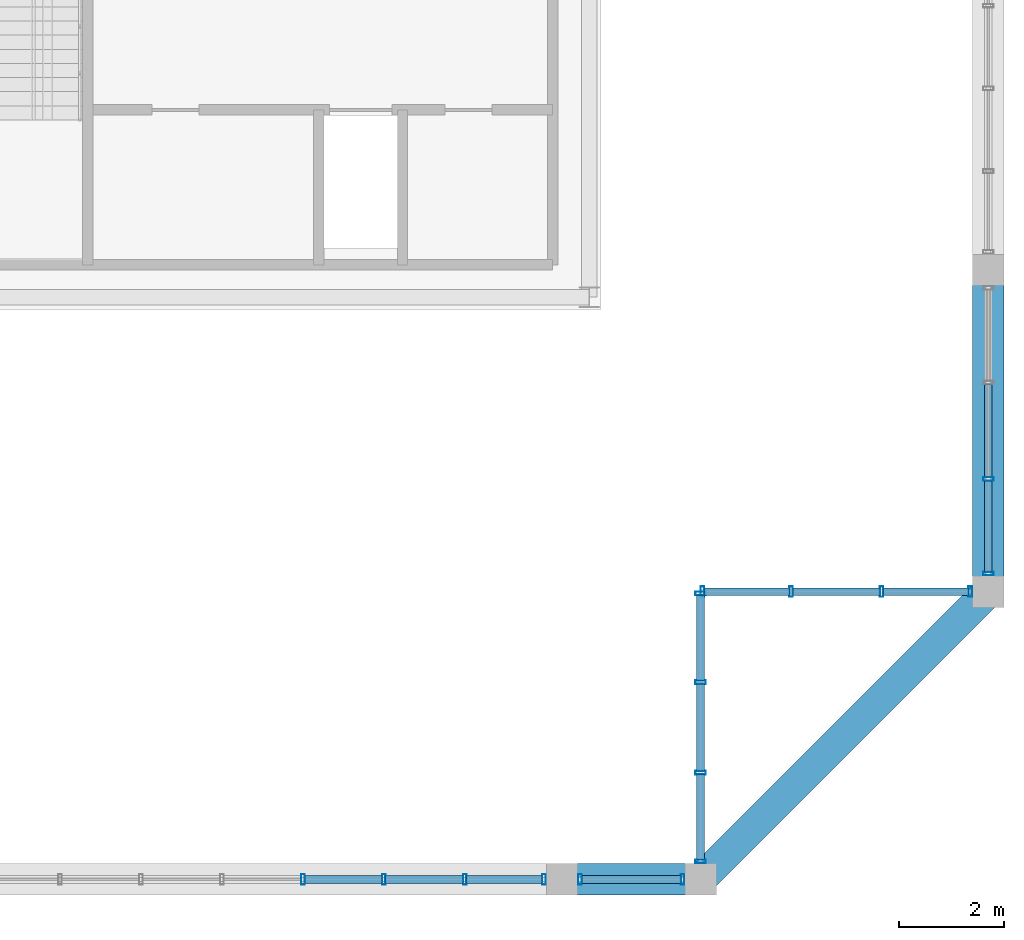
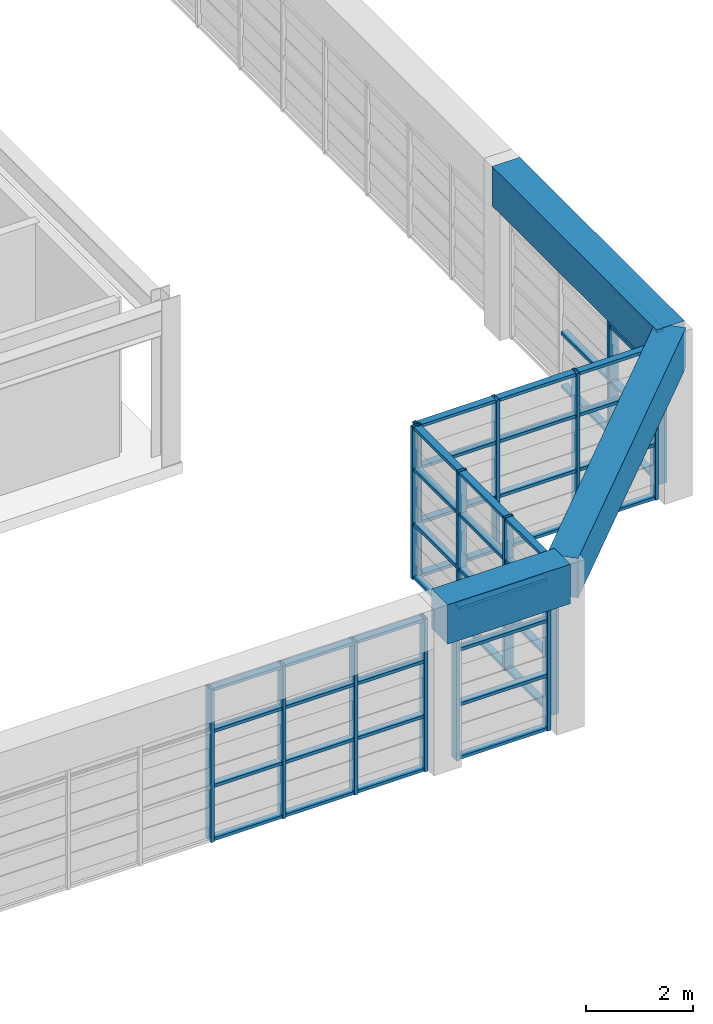
# One storey, part 6 of 27: 62 members, 3 beams, 5 elements without a shape of their own.
"""IFC4 building model written with IfcOpenShell, lengths in metres."""

import ifcopenshell
import ifcopenshell.guid

model = None  # the IFC model being written
_history = None  # IfcOwnerHistory: only IFC2X3 demands one
_inside = {}  # id of a spatial element -> (the spatial element, [elements in it])
_under = {}  # id of a project, library or spatial element -> (it, [spatial elements below it])
_declared = {}  # id of a project -> (the project, [libraries it declares])
_typed = {}  # id of a type object -> (the type object, [elements of that type])
_made_of = {}  # id of a material, layer set ... -> (it, [elements and type objects made of it])


def new_model(schema):
    """Start an empty IFC model of exactly this schema.

    Asked for "IFC4X3", IfcOpenShell would pick the latest addendum, in which some entities
    have other attributes; the version numbers below select the first issue.
    IFC2X3 requires an IfcOwnerHistory on every rooted entity: one is made here for all.
    """
    global model, _history
    if schema == "IFC4X3":
        model = ifcopenshell.file(schema_version=(4, 3, 0, 0))
    else:
        model = ifcopenshell.file(schema=schema)
    _inside.clear()
    _under.clear()
    _declared.clear()
    _typed.clear()
    _made_of.clear()
    _history = None
    if model.schema == "IFC2X3":
        org = make("IfcOrganization", Name="unknown")
        user = make(
            "IfcPersonAndOrganization",
            ThePerson=make("IfcPerson", FamilyName="unknown"),
            TheOrganization=org,
        )
        app = make(
            "IfcApplication",
            ApplicationDeveloper=org,
            Version="unknown",
            ApplicationFullName="unknown",
            ApplicationIdentifier="unknown",
        )
        _history = make(
            "IfcOwnerHistory",
            OwningUser=user,
            OwningApplication=app,
            ChangeAction="ADDED",
            CreationDate=0,
        )
    return model


def make(cls, **values):
    """One entity of the class cls with the attributes given. An attribute that is None is left unset."""
    return model.create_entity(
        cls, **{name: value for name, value in values.items() if value is not None}
    )


def rooted(cls, **values):
    """An entity with a GlobalId (a new one), such as an element, a storey or a relation."""
    return make(cls, GlobalId=ifcopenshell.guid.new(), OwnerHistory=_history, **values)


def si_unit(unit_type, name, prefix=None):
    """IfcSIUnit, for example si_unit("LENGTHUNIT", "METRE", prefix="MILLI")."""
    return make("IfcSIUnit", UnitType=unit_type, Prefix=prefix, Name=name)


def assignment(units):
    """IfcUnitAssignment: the units of a project."""
    return None if units is None else make("IfcUnitAssignment", Units=units)


def point(xyz):
    """IfcCartesianPoint."""
    return None if xyz is None else make("IfcCartesianPoint", Coordinates=xyz)


def direction(xyz):
    """IfcDirection."""
    return None if xyz is None else make("IfcDirection", DirectionRatios=xyz)


def frame(location, z_axis=None, x_axis=None):
    """IfcAxis2Placement3D, a coordinate frame: its origin and axes. An axis left out is left unset."""
    return make(
        "IfcAxis2Placement3D",
        Location=point(location),
        Axis=direction(z_axis),
        RefDirection=direction(x_axis),
    )


def frame_2d(location, x_axis=None):
    """IfcAxis2Placement2D, a coordinate frame in the plane: its origin and x axis."""
    return make(
        "IfcAxis2Placement2D", Location=point(location), RefDirection=direction(x_axis)
    )


def origin():
    """The frame at (0, 0, 0) with its axes left unset."""
    return frame((0.0, 0.0, 0.0))


def origin_2d():
    """The frame at (0, 0) in the plane with its x axis left unset."""
    return frame_2d((0.0, 0.0))


def place(relative_to, where):
    """IfcLocalPlacement: puts the frame where relative to a parent placement (None: the world)."""
    return make(
        "IfcLocalPlacement", PlacementRelTo=relative_to, RelativePlacement=where
    )


def context(
    kind, dimensions, precision=None, world=None, true_north=None, identifier=None
):
    """IfcGeometricRepresentationContext, for example the 3D "Model" context."""
    return make(
        "IfcGeometricRepresentationContext",
        ContextIdentifier=identifier,
        ContextType=kind,
        CoordinateSpaceDimension=dimensions,
        Precision=precision,
        WorldCoordinateSystem=world,
        TrueNorth=true_north,
    )


def subcontext(parent, identifier, kind, view, scale=None):
    """IfcGeometricRepresentationSubContext, for example "Body" below "Model"."""
    return make(
        "IfcGeometricRepresentationSubContext",
        ContextIdentifier=identifier,
        ContextType=kind,
        ParentContext=parent,
        TargetScale=scale,
        TargetView=view,
    )


def project(units=None, contexts=None):
    """IfcProject with its units and contexts."""
    return rooted(
        "IfcProject",
        Name="project",
        RepresentationContexts=contexts,
        UnitsInContext=assignment(units),
    )


def spatial(cls, under=None, at=None, **own):
    """A site, building, storey or space (cls), placed at a placement, below another one or the project."""
    s = rooted(cls, ObjectPlacement=at, **own)
    if under is not None:
        _under.setdefault(under.id(), (under, []))[1].append(s)
    return s


def profile(cls, at=None, kind="AREA", **sizes):
    """A parametric profile (cls). Its sizes go by their IFC names, for example OverallWidth=200.0."""
    return make(cls, ProfileType=kind, Position=at, **sizes)


def rectangle(**sizes):
    """IfcRectangleProfileDef."""
    return profile("IfcRectangleProfileDef", **sizes)


def hollow_rectangle(**sizes):
    """IfcRectangleHollowProfileDef."""
    return profile("IfcRectangleHollowProfileDef", **sizes)


def extrude(swept, where, along, depth):
    """IfcExtrudedAreaSolid: the profile swept, set in the frame where, extruded along a direction by depth."""
    return make(
        "IfcExtrudedAreaSolid",
        SweptArea=swept,
        Position=where,
        ExtrudedDirection=direction(along),
        Depth=depth,
    )


def shape(context_of_items, identifier, shape_type, items):
    """IfcShapeRepresentation: the items that make up one representation, for example the "Body"."""
    return make(
        "IfcShapeRepresentation",
        ContextOfItems=context_of_items,
        RepresentationIdentifier=identifier,
        RepresentationType=shape_type,
        Items=items,
    )


def source(mapping_origin, context_of_items, identifier, shape_type, items):
    """IfcRepresentationMap: a shape defined once, which mapped items show again and again."""
    return make(
        "IfcRepresentationMap",
        MappingOrigin=mapping_origin,
        MappedRepresentation=shape(context_of_items, identifier, shape_type, items),
    )


def transform(
    local_origin,
    x_axis=None,
    y_axis=None,
    z_axis=None,
    scale=None,
    scale2=None,
    scale3=None,
    uniform=True,
):
    """IfcCartesianTransformationOperator3D, or its non-uniform kind. x_axis, y_axis, z_axis: its Axis1, 2, 3."""
    if uniform:
        return make(
            "IfcCartesianTransformationOperator3D",
            Axis1=direction(x_axis),
            Axis2=direction(y_axis),
            LocalOrigin=point(local_origin),
            Scale=scale,
            Axis3=direction(z_axis),
        )
    return make(
        "IfcCartesianTransformationOperator3DnonUniform",
        Axis1=direction(x_axis),
        Axis2=direction(y_axis),
        LocalOrigin=point(local_origin),
        Scale=scale,
        Axis3=direction(z_axis),
        Scale2=scale2,
        Scale3=scale3,
    )


def mapped(mapping_source, mapping_target):
    """IfcMappedItem: shows the shape of a source again, moved by a transform."""
    return make(
        "IfcMappedItem", MappingSource=mapping_source, MappingTarget=mapping_target
    )


def material(Name=None, Category=None):
    """IfcMaterial."""
    return make("IfcMaterial", Name=Name, Category=Category)


def layer(
    of_material, thickness, ventilated=None, Name=None, Category=None, Priority=None
):
    """IfcMaterialLayer: one layer of a wall or slab, of a material (None: an air gap)."""
    return make(
        "IfcMaterialLayer",
        Material=of_material,
        LayerThickness=thickness,
        IsVentilated=ventilated,
        Name=Name,
        Category=Category,
        Priority=Priority,
    )


def layer_set(layers, Name=None):
    """IfcMaterialLayerSet."""
    return make("IfcMaterialLayerSet", MaterialLayers=layers, LayerSetName=Name)


def material_profile(
    of_material, cross_section, Name=None, Category=None, Priority=None
):
    """IfcMaterialProfile: a cross section and its material."""
    return make(
        "IfcMaterialProfile",
        Name=Name,
        Material=of_material,
        Profile=cross_section,
        Priority=Priority,
        Category=Category,
    )


def profile_set(profiles, Name=None, composite=None):
    """IfcMaterialProfileSet."""
    return make(
        "IfcMaterialProfileSet",
        Name=Name,
        MaterialProfiles=profiles,
        CompositeProfile=composite,
    )


def made_of(thing, what):
    """Note that an element or type object is made of a material, layer set ...; save() writes the relation."""
    if what is not None:
        _made_of.setdefault(what.id(), (what, []))[1].append(thing)
    return thing


def type_object(cls, material=None, **own):
    """A type object (cls), such as IfcWallType, which elements share."""
    return made_of(rooted(cls, **own), material)


def element(
    cls,
    number,
    at=None,
    inside=None,
    cuts=None,
    type_object=None,
    material=None,
    context=None,
    identifier="Body",
    shape_type=None,
    held_by="IfcProductDefinitionShape",
    body=None,
    shapes=None,
    **own,
):
    """One element of the class cls, such as IfcWall. Its Tag is "e" and its number.

    at: its placement. inside: the storey or other place that contains it. cuts: it is an
    opening in that element (IfcRelVoidsElement). A single representation is given by context,
    identifier, shape_type and body (its items); several are given by shapes. held_by: the class
    of the entity that holds the representations. save() writes the other relations.
    """
    e = rooted(cls, Tag="e%d" % number, ObjectPlacement=at, **own)
    if body is not None:
        shapes = [shape(context, identifier, shape_type, body)]
    if shapes is not None:
        e.Representation = make(held_by, Representations=shapes)
    if inside is not None:
        _inside.setdefault(inside.id(), (inside, []))[1].append(e)
    if cuts is not None:
        rooted(
            "IfcRelVoidsElement", RelatingBuildingElement=cuts, RelatedOpeningElement=e
        )
    if type_object is not None:
        _typed.setdefault(type_object.id(), (type_object, []))[1].append(e)
    return made_of(e, material)


def aggregate(whole, parts):
    """IfcRelAggregates: a whole, such as a stair, and the parts it consists of."""
    return rooted("IfcRelAggregates", RelatingObject=whole, RelatedObjects=parts)


def save(model, path):
    """Write the relations noted so far, then the file.

    IfcRelAggregates (storeys below a building ...), IfcRelContainedInSpatialStructure (elements
    in a storey), IfcRelDefinesByType, IfcRelAssociatesMaterial and IfcRelDeclares: one each for
    every whole, place, type object, material and project.
    """
    for whole, parts in _under.values():
        aggregate(whole, parts)
    for where, things in _inside.values():
        rooted(
            "IfcRelContainedInSpatialStructure",
            RelatedElements=things,
            RelatingStructure=where,
        )
    for kind, things in _typed.values():
        rooted("IfcRelDefinesByType", RelatedObjects=things, RelatingType=kind)
    for what, things in _made_of.values():
        rooted("IfcRelAssociatesMaterial", RelatedObjects=things, RelatingMaterial=what)
    for by, libraries in _declared.values():
        rooted("IfcRelDeclares", RelatingContext=by, RelatedDefinitions=libraries)
    model.write(path)


model = new_model("IFC4")

# Units and contexts
model_context = context("Model", 3, precision=1e-05, world=origin(), true_north=direction((0.0, 1.0)))
body_context = subcontext(model_context, "Body", "Model", "MODEL_VIEW")
ifc_project = project(units=[si_unit("LENGTHUNIT", "METRE"), si_unit("AREAUNIT", "SQUARE_METRE"), si_unit("VOLUMEUNIT", "CUBIC_METRE"), si_unit("PLANEANGLEUNIT", "RADIAN"), si_unit("MASSUNIT", "GRAM", prefix="KILO")], contexts=[model_context])

# Site, building, storey
site_placement = place(None, origin())
site = spatial("IfcSite", under=ifc_project, at=site_placement, CompositionType="ELEMENT")
building_placement = place(site_placement, origin())
building = spatial("IfcBuilding", under=site, at=building_placement, Name="Saelheon Loggia Tower", CompositionType="ELEMENT")
storey_placement = place(building_placement, frame((0.0, 0.0, 263.60009765625)))
storey = spatial("IfcBuildingStorey", under=building, at=storey_placement, Name="CR4", CompositionType="ELEMENT", Elevation=263.60009765625)

# Beams
ifc_material_1 = material(Name="Precast Concrete C45/55", Category="concrete")
ifc_material_profile_1 = material_profile(ifc_material_1, rectangle(XDim=0.60009765625, YDim=0.89990234375, at=origin_2d()), Name="RC-600x900")
ifc_profile_set_1 = profile_set([ifc_material_profile_1], Name="Precast Concrete C45/55")
beam_type = type_object("IfcBeamType", Name="CrownFrame_Ring_RC600x900", PredefinedType="BEAM", material=ifc_profile_set_1)
shared_shape_1 = source(origin(), body_context, "Body", "SweptSolid", [
    extrude(rectangle(XDim=0.60009765625, YDim=0.89990234375, at=origin_2d()), origin(), (0.0, 0.0, 1.0), 2.64990234375),
])
beam_1_placement = place(storey_placement, frame((44.5, 6.35009765625, 3.349853515625), z_axis=(1.0, 0.0, 0.0), x_axis=(0.0, 1.0, 0.0)))
element("IfcBeam", 1, at=beam_1_placement, inside=storey, type_object=beam_type, Name="CR4 CROWN FRAME Ring Beam 03", PredefinedType="BEAM", context=body_context, shape_type="MappedRepresentation", body=[
    mapped(shared_shape_1, transform((0.0, 0.0, 0.0), scale=1.0)),
])
shared_shape_2 = source(origin(), body_context, "Body", "SweptSolid", [
    extrude(rectangle(XDim=0.60009765625, YDim=0.89990234375, at=origin_2d()), origin(), (0.0, 0.0, 1.0), 7.778076171875),
])
beam_2_placement = place(storey_placement, frame((47.14990234375, 6.35009765625, 3.349853515625), z_axis=(0.707106781187, 0.707106781187, 0.0), x_axis=(-0.707106781187, 0.707106781187, 0.0)))
element("IfcBeam", 2, at=beam_2_placement, inside=storey, type_object=beam_type, Name="CR4 CROWN FRAME Ring Beam 04", PredefinedType="BEAM", context=body_context, shape_type="MappedRepresentation", body=[
    mapped(shared_shape_2, transform((0.0, 0.0, 0.0), scale=1.0)),
])
shared_shape_3 = source(origin(), body_context, "Body", "SweptSolid", [
    extrude(rectangle(XDim=0.60009765625, YDim=0.89990234375, at=origin_2d()), origin(), (0.0, 0.0, 1.0), 6.14990234375),
])
beam_3_placement = place(storey_placement, frame((52.64990234375, 11.85009765625, 3.349853515625), z_axis=(0.0, 1.0, 0.0), x_axis=(-1.0, 0.0, 0.0)))
element("IfcBeam", 3, at=beam_3_placement, inside=storey, type_object=beam_type, Name="CR4 CROWN FRAME Ring Beam 05", PredefinedType="BEAM", context=body_context, shape_type="MappedRepresentation", body=[
    mapped(shared_shape_3, transform((0.0, 0.0, 0.0), scale=1.0)),
])

# Curtain wall, members
ifc_material_2 = material(Name="Bronze-Anodised Aluminium and Fritted Ceramic Screen", Category="aluminium")
ifc_layer = layer(ifc_material_2, 0.219970703125)
ifc_layer_set = layer_set([ifc_layer], Name="Bronze-Anodised Aluminium and Fritted Ceramic Screen")
curtain_wall_type = type_object("IfcCurtainWallType", Name="CW_CrownScreen", PredefinedType="NOTDEFINED", material=ifc_layer_set)
curtain_wall_1_placement = place(storey_placement, origin())
curtain_wall_1 = element("IfcCurtainWall", 4, at=curtain_wall_1_placement, inside=storey, type_object=curtain_wall_type, Name="CR4 Crown Screen Curtain Wall 0-2", PredefinedType="NOTDEFINED")
ifc_material_3 = material(Name="Bronze-Anodised Aluminium 6063-T6", Category="aluminium")
ifc_material_profile_2 = material_profile(ifc_material_3, hollow_rectangle(XDim=0.070068359375, YDim=0.199951171875, WallThickness=0.0048828125, at=origin_2d()), Name="RHS-200x70x5")
ifc_profile_set_2 = profile_set([ifc_material_profile_2], Name="Bronze-Anodised Aluminium 6063-T6")
member_type_1 = type_object("IfcMemberType", Name="CW_CrownScreen_Mullion", PredefinedType="MULLION", material=ifc_profile_set_2)
shared_shape_4 = source(origin(), body_context, "Body", "SweptSolid", [
    extrude(hollow_rectangle(XDim=0.070068359375, YDim=0.199951171875, WallThickness=0.0048828125, at=origin_2d()), origin(), (0.0, 0.0, 1.0), 3.47998046875),
])
member_1_placement = place(storey_placement, frame((39.547607421875, 6.35009765625, 0.0), z_axis=(0.0, 0.0, 1.0), x_axis=(1.0, 0.0, 0.0)))
member_1 = element("IfcMember", 5, at=member_1_placement, type_object=member_type_1, Name="CW6 mullion 6", PredefinedType="MULLION", context=body_context, shape_type="MappedRepresentation", body=[
    mapped(shared_shape_4, transform((0.0, 0.0, 0.0), scale=1.0)),
])
member_2_placement = place(storey_placement, frame((41.094970703125, 6.35009765625, 0.0), z_axis=(0.0, 0.0, 1.0), x_axis=(1.0, 0.0, 0.0)))
member_2 = element("IfcMember", 6, at=member_2_placement, type_object=member_type_1, Name="CW6 mullion 7", PredefinedType="MULLION", context=body_context, shape_type="MappedRepresentation", body=[
    mapped(shared_shape_4, transform((0.0, 0.0, 0.0), scale=1.0)),
])
member_3_placement = place(storey_placement, frame((42.642578125, 6.35009765625, 0.0), z_axis=(0.0, 0.0, 1.0), x_axis=(1.0, 0.0, 0.0)))
member_3 = element("IfcMember", 7, at=member_3_placement, type_object=member_type_1, Name="CW6 mullion 8", PredefinedType="MULLION", context=body_context, shape_type="MappedRepresentation", body=[
    mapped(shared_shape_4, transform((0.0, 0.0, 0.0), scale=1.0)),
])
member_4_placement = place(storey_placement, frame((44.155029296875, 6.35009765625, 0.0), z_axis=(0.0, 0.0, 1.0), x_axis=(1.0, 0.0, 0.0)))
member_4 = element("IfcMember", 8, at=member_4_placement, type_object=member_type_1, Name="CW6 mullion 9", PredefinedType="MULLION", context=body_context, shape_type="MappedRepresentation", body=[
    mapped(shared_shape_4, transform((0.0, 0.0, 0.0), scale=1.0)),
])

curtain_wall_2_placement = place(storey_placement, origin())
curtain_wall_2 = element("IfcCurtainWall", 9, at=curtain_wall_2_placement, inside=storey, type_object=curtain_wall_type, Name="CR4 Crown Screen Curtain Wall 0-3", PredefinedType="NOTDEFINED")
member_5_placement = place(storey_placement, frame((44.844970703125, 6.35009765625, 0.0), z_axis=(0.0, 0.0, 1.0), x_axis=(1.0, 0.0, 0.0)))
member_5 = element("IfcMember", 10, at=member_5_placement, type_object=member_type_1, Name="CW6 mullion 1", PredefinedType="MULLION", context=body_context, shape_type="MappedRepresentation", body=[
    mapped(shared_shape_4, transform((0.0, 0.0, 0.0), scale=1.0)),
])
member_6_placement = place(storey_placement, frame((46.804931640625, 6.35009765625, 0.0), z_axis=(0.0, 0.0, 1.0), x_axis=(1.0, 0.0, 0.0)))
member_6 = element("IfcMember", 11, at=member_6_placement, type_object=member_type_1, Name="CW6 mullion 2", PredefinedType="MULLION", context=body_context, shape_type="MappedRepresentation", body=[
    mapped(shared_shape_4, transform((0.0, 0.0, 0.0), scale=1.0)),
])

curtain_wall_3_placement = place(storey_placement, origin())
curtain_wall_3 = element("IfcCurtainWall", 12, at=curtain_wall_3_placement, inside=storey, type_object=curtain_wall_type, Name="CR4 Crown Screen Curtain Wall 1-1", PredefinedType="NOTDEFINED")
member_7_placement = place(storey_placement, frame((47.14990234375, 6.695068359375, 0.0), z_axis=(0.0, 0.0, 1.0), x_axis=(0.0, 1.0, 0.0)))
member_7 = element("IfcMember", 13, at=member_7_placement, type_object=member_type_1, Name="CW6 mullion 1", PredefinedType="MULLION", context=body_context, shape_type="MappedRepresentation", body=[
    mapped(shared_shape_4, transform((0.0, 0.0, 0.0), scale=1.0)),
])
member_8_placement = place(storey_placement, frame((47.14990234375, 8.389892578125, 0.0), z_axis=(0.0, 0.0, 1.0), x_axis=(0.0, 1.0, 0.0)))
member_8 = element("IfcMember", 14, at=member_8_placement, type_object=member_type_1, Name="CW6 mullion 2", PredefinedType="MULLION", context=body_context, shape_type="MappedRepresentation", body=[
    mapped(shared_shape_4, transform((0.0, 0.0, 0.0), scale=1.0)),
])
member_9_placement = place(storey_placement, frame((47.14990234375, 10.1201171875, 0.0), z_axis=(0.0, 0.0, 1.0), x_axis=(0.0, 1.0, 0.0)))
member_9 = element("IfcMember", 15, at=member_9_placement, type_object=member_type_1, Name="CW6 mullion 3", PredefinedType="MULLION", context=body_context, shape_type="MappedRepresentation", body=[
    mapped(shared_shape_4, transform((0.0, 0.0, 0.0), scale=1.0)),
])
member_10_placement = place(storey_placement, frame((47.14990234375, 11.81494140625, 0.0), z_axis=(0.0, 0.0, 1.0), x_axis=(0.0, 1.0, 0.0)))
member_10 = element("IfcMember", 16, at=member_10_placement, type_object=member_type_1, Name="CW6 mullion 4", PredefinedType="MULLION", context=body_context, shape_type="MappedRepresentation", body=[
    mapped(shared_shape_4, transform((0.0, 0.0, 0.0), scale=1.0)),
])

curtain_wall_4_placement = place(storey_placement, origin())
curtain_wall_4 = element("IfcCurtainWall", 17, at=curtain_wall_4_placement, inside=storey, type_object=curtain_wall_type, Name="CR4 Crown Screen Curtain Wall 2-1", PredefinedType="NOTDEFINED")
member_11_placement = place(storey_placement, frame((47.18505859375, 11.85009765625, 0.0), z_axis=(0.0, 0.0, 1.0), x_axis=(1.0, 0.0, 0.0)))
member_11 = element("IfcMember", 18, at=member_11_placement, type_object=member_type_1, Name="CW6 mullion 1", PredefinedType="MULLION", context=body_context, shape_type="MappedRepresentation", body=[
    mapped(shared_shape_4, transform((0.0, 0.0, 0.0), scale=1.0)),
])
member_12_placement = place(storey_placement, frame((48.8798828125, 11.85009765625, 0.0), z_axis=(0.0, 0.0, 1.0), x_axis=(1.0, 0.0, 0.0)))
member_12 = element("IfcMember", 19, at=member_12_placement, type_object=member_type_1, Name="CW6 mullion 2", PredefinedType="MULLION", context=body_context, shape_type="MappedRepresentation", body=[
    mapped(shared_shape_4, transform((0.0, 0.0, 0.0), scale=1.0)),
])
member_13_placement = place(storey_placement, frame((50.610107421875, 11.85009765625, 0.0), z_axis=(0.0, 0.0, 1.0), x_axis=(1.0, 0.0, 0.0)))
member_13 = element("IfcMember", 20, at=member_13_placement, type_object=member_type_1, Name="CW6 mullion 3", PredefinedType="MULLION", context=body_context, shape_type="MappedRepresentation", body=[
    mapped(shared_shape_4, transform((0.0, 0.0, 0.0), scale=1.0)),
])
member_14_placement = place(storey_placement, frame((52.304931640625, 11.85009765625, 0.0), z_axis=(0.0, 0.0, 1.0), x_axis=(1.0, 0.0, 0.0)))
member_14 = element("IfcMember", 21, at=member_14_placement, type_object=member_type_1, Name="CW6 mullion 4", PredefinedType="MULLION", context=body_context, shape_type="MappedRepresentation", body=[
    mapped(shared_shape_4, transform((0.0, 0.0, 0.0), scale=1.0)),
])

curtain_wall_5_placement = place(storey_placement, origin())
curtain_wall_5 = element("IfcCurtainWall", 22, at=curtain_wall_5_placement, inside=storey, type_object=curtain_wall_type, Name="CR4 Crown Screen Curtain Wall 3-1", PredefinedType="NOTDEFINED")
member_15_placement = place(storey_placement, frame((52.64990234375, 12.195068359375, 0.0), z_axis=(0.0, 0.0, 1.0), x_axis=(0.0, 1.0, 0.0)))
member_15 = element("IfcMember", 23, at=member_15_placement, type_object=member_type_1, Name="CW6 mullion 1", PredefinedType="MULLION", context=body_context, shape_type="MappedRepresentation", body=[
    mapped(shared_shape_4, transform((0.0, 0.0, 0.0), scale=1.0)),
])
member_16_placement = place(storey_placement, frame((52.64990234375, 14.00341796875, 0.0), z_axis=(0.0, 0.0, 1.0), x_axis=(0.0, 1.0, 0.0)))
member_16 = element("IfcMember", 24, at=member_16_placement, type_object=member_type_1, Name="CW6 mullion 2", PredefinedType="MULLION", context=body_context, shape_type="MappedRepresentation", body=[
    mapped(shared_shape_4, transform((0.0, 0.0, 0.0), scale=1.0)),
])

# Member
ifc_material_profile_3 = material_profile(ifc_material_3, hollow_rectangle(XDim=0.070068359375, YDim=0.14990234375, WallThickness=0.0048828125, at=origin_2d()), Name="RHS-150x70x5")
ifc_profile_set_3 = profile_set([ifc_material_profile_3], Name="Bronze-Anodised Aluminium 6063-T6")
member_type_2 = type_object("IfcMemberType", Name="CW_CrownScreen_Transom", PredefinedType="USERDEFINED", material=ifc_profile_set_3)
shared_shape_5 = source(origin(), body_context, "Body", "SweptSolid", [
    extrude(hollow_rectangle(XDim=0.070068359375, YDim=0.14990234375, WallThickness=0.0048828125, at=origin_2d()), origin(), (0.0, 0.0, 1.0), 1.89013671875),
])
member_17_placement = place(storey_placement, frame((44.8798828125, 6.35009765625, 0.034912109375), z_axis=(1.0, 0.0, 0.0), x_axis=(0.0, 0.0, 1.0)))
member_17 = element("IfcMember", 25, at=member_17_placement, type_object=member_type_2, Name="CW6 transom 1.1", ObjectType="TRANSOM", PredefinedType="USERDEFINED", context=body_context, shape_type="MappedRepresentation", body=[
    mapped(shared_shape_5, transform((0.0, 0.0, 0.0), scale=1.0)),
])

member_18_placement = place(storey_placement, frame((44.8798828125, 6.35009765625, 1.25), z_axis=(1.0, 0.0, 0.0), x_axis=(0.0, 0.0, 1.0)))
member_18 = element("IfcMember", 26, at=member_18_placement, type_object=member_type_2, Name="CW6 transom 1.2", ObjectType="TRANSOM", PredefinedType="USERDEFINED", context=body_context, shape_type="MappedRepresentation", body=[
    mapped(shared_shape_5, transform((0.0, 0.0, 0.0), scale=1.0)),
])

member_19_placement = place(storey_placement, frame((44.8798828125, 6.35009765625, 2.5), z_axis=(1.0, 0.0, 0.0), x_axis=(0.0, 0.0, 1.0)))
member_19 = element("IfcMember", 27, at=member_19_placement, type_object=member_type_2, Name="CW6 transom 1.3", ObjectType="TRANSOM", PredefinedType="USERDEFINED", context=body_context, shape_type="MappedRepresentation", body=[
    mapped(shared_shape_5, transform((0.0, 0.0, 0.0), scale=1.0)),
])

member_20_placement = place(storey_placement, frame((44.8798828125, 6.35009765625, 3.44482421875), z_axis=(1.0, 0.0, 0.0), x_axis=(0.0, 0.0, 1.0)))
member_20 = element("IfcMember", 28, at=member_20_placement, type_object=member_type_2, Name="CW6 transom 1.4", ObjectType="TRANSOM", PredefinedType="USERDEFINED", context=body_context, shape_type="MappedRepresentation", body=[
    mapped(shared_shape_5, transform((0.0, 0.0, 0.0), scale=1.0)),
])

aggregate(curtain_wall_2, [member_5, member_6, member_17, member_18, member_19, member_20])

shared_shape_6 = source(origin(), body_context, "Body", "SweptSolid", [
    extrude(hollow_rectangle(XDim=0.070068359375, YDim=0.14990234375, WallThickness=0.0048828125, at=origin_2d()), origin(), (0.0, 0.0, 1.0), 1.442626953125),
])
member_21_placement = place(storey_placement, frame((42.677490234375, 6.35009765625, 0.034912109375), z_axis=(1.0, 0.0, 0.0), x_axis=(0.0, 0.0, 1.0)))
member_21 = element("IfcMember", 29, at=member_21_placement, type_object=member_type_2, Name="CW6 transom 8.1", ObjectType="TRANSOM", PredefinedType="USERDEFINED", context=body_context, shape_type="MappedRepresentation", body=[
    mapped(shared_shape_6, transform((0.0, 0.0, 0.0), scale=1.0)),
])

member_22_placement = place(storey_placement, frame((42.677490234375, 6.35009765625, 1.25), z_axis=(1.0, 0.0, 0.0), x_axis=(0.0, 0.0, 1.0)))
member_22 = element("IfcMember", 30, at=member_22_placement, type_object=member_type_2, Name="CW6 transom 8.2", ObjectType="TRANSOM", PredefinedType="USERDEFINED", context=body_context, shape_type="MappedRepresentation", body=[
    mapped(shared_shape_6, transform((0.0, 0.0, 0.0), scale=1.0)),
])

member_23_placement = place(storey_placement, frame((42.677490234375, 6.35009765625, 2.5), z_axis=(1.0, 0.0, 0.0), x_axis=(0.0, 0.0, 1.0)))
member_23 = element("IfcMember", 31, at=member_23_placement, type_object=member_type_2, Name="CW6 transom 8.3", ObjectType="TRANSOM", PredefinedType="USERDEFINED", context=body_context, shape_type="MappedRepresentation", body=[
    mapped(shared_shape_6, transform((0.0, 0.0, 0.0), scale=1.0)),
])

member_24_placement = place(storey_placement, frame((42.677490234375, 6.35009765625, 3.44482421875), z_axis=(1.0, 0.0, 0.0), x_axis=(0.0, 0.0, 1.0)))
member_24 = element("IfcMember", 32, at=member_24_placement, type_object=member_type_2, Name="CW6 transom 8.4", ObjectType="TRANSOM", PredefinedType="USERDEFINED", context=body_context, shape_type="MappedRepresentation", body=[
    mapped(shared_shape_6, transform((0.0, 0.0, 0.0), scale=1.0)),
])

shared_shape_7 = source(origin(), body_context, "Body", "SweptSolid", [
    extrude(hollow_rectangle(XDim=0.070068359375, YDim=0.14990234375, WallThickness=0.0048828125, at=origin_2d()), origin(), (0.0, 0.0, 1.0), 1.4775390625),
])
member_25_placement = place(storey_placement, frame((39.58251953125, 6.35009765625, 0.034912109375), z_axis=(1.0, 0.0, 0.0), x_axis=(0.0, 0.0, 1.0)))
member_25 = element("IfcMember", 33, at=member_25_placement, type_object=member_type_2, Name="CW6 transom 6.1", ObjectType="TRANSOM", PredefinedType="USERDEFINED", context=body_context, shape_type="MappedRepresentation", body=[
    mapped(shared_shape_7, transform((0.0, 0.0, 0.0), scale=1.0)),
])

member_26_placement = place(storey_placement, frame((39.58251953125, 6.35009765625, 1.25), z_axis=(1.0, 0.0, 0.0), x_axis=(0.0, 0.0, 1.0)))
member_26 = element("IfcMember", 34, at=member_26_placement, type_object=member_type_2, Name="CW6 transom 6.2", ObjectType="TRANSOM", PredefinedType="USERDEFINED", context=body_context, shape_type="MappedRepresentation", body=[
    mapped(shared_shape_7, transform((0.0, 0.0, 0.0), scale=1.0)),
])

member_27_placement = place(storey_placement, frame((39.58251953125, 6.35009765625, 2.5), z_axis=(1.0, 0.0, 0.0), x_axis=(0.0, 0.0, 1.0)))
member_27 = element("IfcMember", 35, at=member_27_placement, type_object=member_type_2, Name="CW6 transom 6.3", ObjectType="TRANSOM", PredefinedType="USERDEFINED", context=body_context, shape_type="MappedRepresentation", body=[
    mapped(shared_shape_7, transform((0.0, 0.0, 0.0), scale=1.0)),
])

member_28_placement = place(storey_placement, frame((39.58251953125, 6.35009765625, 3.44482421875), z_axis=(1.0, 0.0, 0.0), x_axis=(0.0, 0.0, 1.0)))
member_28 = element("IfcMember", 36, at=member_28_placement, type_object=member_type_2, Name="CW6 transom 6.4", ObjectType="TRANSOM", PredefinedType="USERDEFINED", context=body_context, shape_type="MappedRepresentation", body=[
    mapped(shared_shape_7, transform((0.0, 0.0, 0.0), scale=1.0)),
])

member_29_placement = place(storey_placement, frame((41.1298828125, 6.35009765625, 0.034912109375), z_axis=(1.0, 0.0, 0.0), x_axis=(0.0, 0.0, 1.0)))
member_29 = element("IfcMember", 37, at=member_29_placement, type_object=member_type_2, Name="CW6 transom 7.1", ObjectType="TRANSOM", PredefinedType="USERDEFINED", context=body_context, shape_type="MappedRepresentation", body=[
    mapped(shared_shape_7, transform((0.0, 0.0, 0.0), scale=1.0)),
])

member_30_placement = place(storey_placement, frame((41.1298828125, 6.35009765625, 1.25), z_axis=(1.0, 0.0, 0.0), x_axis=(0.0, 0.0, 1.0)))
member_30 = element("IfcMember", 38, at=member_30_placement, type_object=member_type_2, Name="CW6 transom 7.2", ObjectType="TRANSOM", PredefinedType="USERDEFINED", context=body_context, shape_type="MappedRepresentation", body=[
    mapped(shared_shape_7, transform((0.0, 0.0, 0.0), scale=1.0)),
])

member_31_placement = place(storey_placement, frame((41.1298828125, 6.35009765625, 2.5), z_axis=(1.0, 0.0, 0.0), x_axis=(0.0, 0.0, 1.0)))
member_31 = element("IfcMember", 39, at=member_31_placement, type_object=member_type_2, Name="CW6 transom 7.3", ObjectType="TRANSOM", PredefinedType="USERDEFINED", context=body_context, shape_type="MappedRepresentation", body=[
    mapped(shared_shape_7, transform((0.0, 0.0, 0.0), scale=1.0)),
])

member_32_placement = place(storey_placement, frame((41.1298828125, 6.35009765625, 3.44482421875), z_axis=(1.0, 0.0, 0.0), x_axis=(0.0, 0.0, 1.0)))
member_32 = element("IfcMember", 40, at=member_32_placement, type_object=member_type_2, Name="CW6 transom 7.4", ObjectType="TRANSOM", PredefinedType="USERDEFINED", context=body_context, shape_type="MappedRepresentation", body=[
    mapped(shared_shape_7, transform((0.0, 0.0, 0.0), scale=1.0)),
])

aggregate(curtain_wall_1, [member_1, member_2, member_3, member_4, member_25, member_26, member_27, member_28, member_29, member_30, member_31, member_32, member_21, member_22, member_23, member_24])

shared_shape_8 = source(origin(), body_context, "Body", "SweptSolid", [
    extrude(hollow_rectangle(XDim=0.070068359375, YDim=0.14990234375, WallThickness=0.0048828125, at=origin_2d()), origin(), (0.0, 0.0, 1.0), 1.625),
])
member_33_placement = place(storey_placement, frame((47.14990234375, 6.72998046875, 0.034912109375), z_axis=(0.0, 1.0, 0.0), x_axis=(0.0, 0.0, 1.0)))
member_33 = element("IfcMember", 41, at=member_33_placement, type_object=member_type_2, Name="CW6 transom 1.1", ObjectType="TRANSOM", PredefinedType="USERDEFINED", context=body_context, shape_type="MappedRepresentation", body=[
    mapped(shared_shape_8, transform((0.0, 0.0, 0.0), scale=1.0)),
])

member_34_placement = place(storey_placement, frame((47.14990234375, 6.72998046875, 1.25), z_axis=(0.0, 1.0, 0.0), x_axis=(0.0, 0.0, 1.0)))
member_34 = element("IfcMember", 42, at=member_34_placement, type_object=member_type_2, Name="CW6 transom 1.2", ObjectType="TRANSOM", PredefinedType="USERDEFINED", context=body_context, shape_type="MappedRepresentation", body=[
    mapped(shared_shape_8, transform((0.0, 0.0, 0.0), scale=1.0)),
])

member_35_placement = place(storey_placement, frame((47.14990234375, 6.72998046875, 2.5), z_axis=(0.0, 1.0, 0.0), x_axis=(0.0, 0.0, 1.0)))
member_35 = element("IfcMember", 43, at=member_35_placement, type_object=member_type_2, Name="CW6 transom 1.3", ObjectType="TRANSOM", PredefinedType="USERDEFINED", context=body_context, shape_type="MappedRepresentation", body=[
    mapped(shared_shape_8, transform((0.0, 0.0, 0.0), scale=1.0)),
])

member_36_placement = place(storey_placement, frame((47.14990234375, 6.72998046875, 3.44482421875), z_axis=(0.0, 1.0, 0.0), x_axis=(0.0, 0.0, 1.0)))
member_36 = element("IfcMember", 44, at=member_36_placement, type_object=member_type_2, Name="CW6 transom 1.4", ObjectType="TRANSOM", PredefinedType="USERDEFINED", context=body_context, shape_type="MappedRepresentation", body=[
    mapped(shared_shape_8, transform((0.0, 0.0, 0.0), scale=1.0)),
])

member_37_placement = place(storey_placement, frame((47.14990234375, 10.155029296875, 0.034912109375), z_axis=(0.0, 1.0, 0.0), x_axis=(0.0, 0.0, 1.0)))
member_37 = element("IfcMember", 45, at=member_37_placement, type_object=member_type_2, Name="CW6 transom 3.1", ObjectType="TRANSOM", PredefinedType="USERDEFINED", context=body_context, shape_type="MappedRepresentation", body=[
    mapped(shared_shape_8, transform((0.0, 0.0, 0.0), scale=1.0)),
])

member_38_placement = place(storey_placement, frame((47.14990234375, 10.155029296875, 1.25), z_axis=(0.0, 1.0, 0.0), x_axis=(0.0, 0.0, 1.0)))
member_38 = element("IfcMember", 46, at=member_38_placement, type_object=member_type_2, Name="CW6 transom 3.2", ObjectType="TRANSOM", PredefinedType="USERDEFINED", context=body_context, shape_type="MappedRepresentation", body=[
    mapped(shared_shape_8, transform((0.0, 0.0, 0.0), scale=1.0)),
])

member_39_placement = place(storey_placement, frame((47.14990234375, 10.155029296875, 2.5), z_axis=(0.0, 1.0, 0.0), x_axis=(0.0, 0.0, 1.0)))
member_39 = element("IfcMember", 47, at=member_39_placement, type_object=member_type_2, Name="CW6 transom 3.3", ObjectType="TRANSOM", PredefinedType="USERDEFINED", context=body_context, shape_type="MappedRepresentation", body=[
    mapped(shared_shape_8, transform((0.0, 0.0, 0.0), scale=1.0)),
])

member_40_placement = place(storey_placement, frame((47.14990234375, 10.155029296875, 3.44482421875), z_axis=(0.0, 1.0, 0.0), x_axis=(0.0, 0.0, 1.0)))
member_40 = element("IfcMember", 48, at=member_40_placement, type_object=member_type_2, Name="CW6 transom 3.4", ObjectType="TRANSOM", PredefinedType="USERDEFINED", context=body_context, shape_type="MappedRepresentation", body=[
    mapped(shared_shape_8, transform((0.0, 0.0, 0.0), scale=1.0)),
])

member_41_placement = place(storey_placement, frame((47.219970703125, 11.85009765625, 0.034912109375), z_axis=(1.0, 0.0, 0.0), x_axis=(0.0, 0.0, 1.0)))
member_41 = element("IfcMember", 49, at=member_41_placement, type_object=member_type_2, Name="CW6 transom 1.1", ObjectType="TRANSOM", PredefinedType="USERDEFINED", context=body_context, shape_type="MappedRepresentation", body=[
    mapped(shared_shape_8, transform((0.0, 0.0, 0.0), scale=1.0)),
])

member_42_placement = place(storey_placement, frame((47.219970703125, 11.85009765625, 1.25), z_axis=(1.0, 0.0, 0.0), x_axis=(0.0, 0.0, 1.0)))
member_42 = element("IfcMember", 50, at=member_42_placement, type_object=member_type_2, Name="CW6 transom 1.2", ObjectType="TRANSOM", PredefinedType="USERDEFINED", context=body_context, shape_type="MappedRepresentation", body=[
    mapped(shared_shape_8, transform((0.0, 0.0, 0.0), scale=1.0)),
])

member_43_placement = place(storey_placement, frame((47.219970703125, 11.85009765625, 2.5), z_axis=(1.0, 0.0, 0.0), x_axis=(0.0, 0.0, 1.0)))
member_43 = element("IfcMember", 51, at=member_43_placement, type_object=member_type_2, Name="CW6 transom 1.3", ObjectType="TRANSOM", PredefinedType="USERDEFINED", context=body_context, shape_type="MappedRepresentation", body=[
    mapped(shared_shape_8, transform((0.0, 0.0, 0.0), scale=1.0)),
])

member_44_placement = place(storey_placement, frame((47.219970703125, 11.85009765625, 3.44482421875), z_axis=(1.0, 0.0, 0.0), x_axis=(0.0, 0.0, 1.0)))
member_44 = element("IfcMember", 52, at=member_44_placement, type_object=member_type_2, Name="CW6 transom 1.4", ObjectType="TRANSOM", PredefinedType="USERDEFINED", context=body_context, shape_type="MappedRepresentation", body=[
    mapped(shared_shape_8, transform((0.0, 0.0, 0.0), scale=1.0)),
])

member_45_placement = place(storey_placement, frame((50.64501953125, 11.85009765625, 0.034912109375), z_axis=(1.0, 0.0, 0.0), x_axis=(0.0, 0.0, 1.0)))
member_45 = element("IfcMember", 53, at=member_45_placement, type_object=member_type_2, Name="CW6 transom 3.1", ObjectType="TRANSOM", PredefinedType="USERDEFINED", context=body_context, shape_type="MappedRepresentation", body=[
    mapped(shared_shape_8, transform((0.0, 0.0, 0.0), scale=1.0)),
])

member_46_placement = place(storey_placement, frame((50.64501953125, 11.85009765625, 1.25), z_axis=(1.0, 0.0, 0.0), x_axis=(0.0, 0.0, 1.0)))
member_46 = element("IfcMember", 54, at=member_46_placement, type_object=member_type_2, Name="CW6 transom 3.2", ObjectType="TRANSOM", PredefinedType="USERDEFINED", context=body_context, shape_type="MappedRepresentation", body=[
    mapped(shared_shape_8, transform((0.0, 0.0, 0.0), scale=1.0)),
])

member_47_placement = place(storey_placement, frame((50.64501953125, 11.85009765625, 2.5), z_axis=(1.0, 0.0, 0.0), x_axis=(0.0, 0.0, 1.0)))
member_47 = element("IfcMember", 55, at=member_47_placement, type_object=member_type_2, Name="CW6 transom 3.3", ObjectType="TRANSOM", PredefinedType="USERDEFINED", context=body_context, shape_type="MappedRepresentation", body=[
    mapped(shared_shape_8, transform((0.0, 0.0, 0.0), scale=1.0)),
])

member_48_placement = place(storey_placement, frame((50.64501953125, 11.85009765625, 3.44482421875), z_axis=(1.0, 0.0, 0.0), x_axis=(0.0, 0.0, 1.0)))
member_48 = element("IfcMember", 56, at=member_48_placement, type_object=member_type_2, Name="CW6 transom 3.4", ObjectType="TRANSOM", PredefinedType="USERDEFINED", context=body_context, shape_type="MappedRepresentation", body=[
    mapped(shared_shape_8, transform((0.0, 0.0, 0.0), scale=1.0)),
])

shared_shape_9 = source(origin(), body_context, "Body", "SweptSolid", [
    extrude(hollow_rectangle(XDim=0.070068359375, YDim=0.14990234375, WallThickness=0.0048828125, at=origin_2d()), origin(), (0.0, 0.0, 1.0), 1.659912109375),
])
member_49_placement = place(storey_placement, frame((47.14990234375, 8.425048828125, 0.034912109375), z_axis=(0.0, 1.0, 0.0), x_axis=(0.0, 0.0, 1.0)))
member_49 = element("IfcMember", 57, at=member_49_placement, type_object=member_type_2, Name="CW6 transom 2.1", ObjectType="TRANSOM", PredefinedType="USERDEFINED", context=body_context, shape_type="MappedRepresentation", body=[
    mapped(shared_shape_9, transform((0.0, 0.0, 0.0), scale=1.0)),
])

member_50_placement = place(storey_placement, frame((47.14990234375, 8.425048828125, 1.25), z_axis=(0.0, 1.0, 0.0), x_axis=(0.0, 0.0, 1.0)))
member_50 = element("IfcMember", 58, at=member_50_placement, type_object=member_type_2, Name="CW6 transom 2.2", ObjectType="TRANSOM", PredefinedType="USERDEFINED", context=body_context, shape_type="MappedRepresentation", body=[
    mapped(shared_shape_9, transform((0.0, 0.0, 0.0), scale=1.0)),
])

member_51_placement = place(storey_placement, frame((47.14990234375, 8.425048828125, 2.5), z_axis=(0.0, 1.0, 0.0), x_axis=(0.0, 0.0, 1.0)))
member_51 = element("IfcMember", 59, at=member_51_placement, type_object=member_type_2, Name="CW6 transom 2.3", ObjectType="TRANSOM", PredefinedType="USERDEFINED", context=body_context, shape_type="MappedRepresentation", body=[
    mapped(shared_shape_9, transform((0.0, 0.0, 0.0), scale=1.0)),
])

member_52_placement = place(storey_placement, frame((47.14990234375, 8.425048828125, 3.44482421875), z_axis=(0.0, 1.0, 0.0), x_axis=(0.0, 0.0, 1.0)))
member_52 = element("IfcMember", 60, at=member_52_placement, type_object=member_type_2, Name="CW6 transom 2.4", ObjectType="TRANSOM", PredefinedType="USERDEFINED", context=body_context, shape_type="MappedRepresentation", body=[
    mapped(shared_shape_9, transform((0.0, 0.0, 0.0), scale=1.0)),
])

aggregate(curtain_wall_3, [member_7, member_8, member_9, member_10, member_33, member_34, member_35, member_36, member_49, member_50, member_51, member_52, member_37, member_38, member_39, member_40])

member_53_placement = place(storey_placement, frame((48.9150390625, 11.85009765625, 0.034912109375), z_axis=(1.0, 0.0, 0.0), x_axis=(0.0, 0.0, 1.0)))
member_53 = element("IfcMember", 61, at=member_53_placement, type_object=member_type_2, Name="CW6 transom 2.1", ObjectType="TRANSOM", PredefinedType="USERDEFINED", context=body_context, shape_type="MappedRepresentation", body=[
    mapped(shared_shape_9, transform((0.0, 0.0, 0.0), scale=1.0)),
])

member_54_placement = place(storey_placement, frame((48.9150390625, 11.85009765625, 1.25), z_axis=(1.0, 0.0, 0.0), x_axis=(0.0, 0.0, 1.0)))
member_54 = element("IfcMember", 62, at=member_54_placement, type_object=member_type_2, Name="CW6 transom 2.2", ObjectType="TRANSOM", PredefinedType="USERDEFINED", context=body_context, shape_type="MappedRepresentation", body=[
    mapped(shared_shape_9, transform((0.0, 0.0, 0.0), scale=1.0)),
])

member_55_placement = place(storey_placement, frame((48.9150390625, 11.85009765625, 2.5), z_axis=(1.0, 0.0, 0.0), x_axis=(0.0, 0.0, 1.0)))
member_55 = element("IfcMember", 63, at=member_55_placement, type_object=member_type_2, Name="CW6 transom 2.3", ObjectType="TRANSOM", PredefinedType="USERDEFINED", context=body_context, shape_type="MappedRepresentation", body=[
    mapped(shared_shape_9, transform((0.0, 0.0, 0.0), scale=1.0)),
])

member_56_placement = place(storey_placement, frame((48.9150390625, 11.85009765625, 3.44482421875), z_axis=(1.0, 0.0, 0.0), x_axis=(0.0, 0.0, 1.0)))
member_56 = element("IfcMember", 64, at=member_56_placement, type_object=member_type_2, Name="CW6 transom 2.4", ObjectType="TRANSOM", PredefinedType="USERDEFINED", context=body_context, shape_type="MappedRepresentation", body=[
    mapped(shared_shape_9, transform((0.0, 0.0, 0.0), scale=1.0)),
])

aggregate(curtain_wall_4, [member_11, member_12, member_13, member_14, member_41, member_42, member_43, member_44, member_53, member_54, member_55, member_56, member_45, member_46, member_47, member_48])

shared_shape_10 = source(origin(), body_context, "Body", "SweptSolid", [
    extrude(hollow_rectangle(XDim=0.070068359375, YDim=0.14990234375, WallThickness=0.0048828125, at=origin_2d()), origin(), (0.0, 0.0, 1.0), 1.73828125),
])
member_57_placement = place(storey_placement, frame((52.64990234375, 12.22998046875, 0.034912109375), z_axis=(0.0, 1.0, 0.0), x_axis=(0.0, 0.0, 1.0)))
member_57 = element("IfcMember", 65, at=member_57_placement, type_object=member_type_2, Name="CW6 transom 1.1", ObjectType="TRANSOM", PredefinedType="USERDEFINED", context=body_context, shape_type="MappedRepresentation", body=[
    mapped(shared_shape_10, transform((0.0, 0.0, 0.0), scale=1.0)),
])

member_58_placement = place(storey_placement, frame((52.64990234375, 12.22998046875, 1.25), z_axis=(0.0, 1.0, 0.0), x_axis=(0.0, 0.0, 1.0)))
member_58 = element("IfcMember", 66, at=member_58_placement, type_object=member_type_2, Name="CW6 transom 1.2", ObjectType="TRANSOM", PredefinedType="USERDEFINED", context=body_context, shape_type="MappedRepresentation", body=[
    mapped(shared_shape_10, transform((0.0, 0.0, 0.0), scale=1.0)),
])

member_59_placement = place(storey_placement, frame((52.64990234375, 12.22998046875, 2.5), z_axis=(0.0, 1.0, 0.0), x_axis=(0.0, 0.0, 1.0)))
member_59 = element("IfcMember", 67, at=member_59_placement, type_object=member_type_2, Name="CW6 transom 1.3", ObjectType="TRANSOM", PredefinedType="USERDEFINED", context=body_context, shape_type="MappedRepresentation", body=[
    mapped(shared_shape_10, transform((0.0, 0.0, 0.0), scale=1.0)),
])

member_60_placement = place(storey_placement, frame((52.64990234375, 12.22998046875, 3.44482421875), z_axis=(0.0, 1.0, 0.0), x_axis=(0.0, 0.0, 1.0)))
member_60 = element("IfcMember", 68, at=member_60_placement, type_object=member_type_2, Name="CW6 transom 1.4", ObjectType="TRANSOM", PredefinedType="USERDEFINED", context=body_context, shape_type="MappedRepresentation", body=[
    mapped(shared_shape_10, transform((0.0, 0.0, 0.0), scale=1.0)),
])

shared_shape_11 = source(origin(), body_context, "Body", "SweptSolid", [
    extrude(hollow_rectangle(XDim=0.070068359375, YDim=0.14990234375, WallThickness=0.0048828125, at=origin_2d()), origin(), (0.0, 0.0, 1.0), 1.7734375),
])
member_61_placement = place(storey_placement, frame((52.64990234375, 14.038330078125, 0.034912109375), z_axis=(0.0, 1.0, 0.0), x_axis=(0.0, 0.0, 1.0)))
member_61 = element("IfcMember", 69, at=member_61_placement, type_object=member_type_2, Name="CW6 transom 2.1", ObjectType="TRANSOM", PredefinedType="USERDEFINED", context=body_context, shape_type="MappedRepresentation", body=[
    mapped(shared_shape_11, transform((0.0, 0.0, 0.0), scale=1.0)),
])

member_62_placement = place(storey_placement, frame((52.64990234375, 14.038330078125, 1.25), z_axis=(0.0, 1.0, 0.0), x_axis=(0.0, 0.0, 1.0)))
member_62 = element("IfcMember", 70, at=member_62_placement, type_object=member_type_2, Name="CW6 transom 2.2", ObjectType="TRANSOM", PredefinedType="USERDEFINED", context=body_context, shape_type="MappedRepresentation", body=[
    mapped(shared_shape_11, transform((0.0, 0.0, 0.0), scale=1.0)),
])

aggregate(curtain_wall_5, [member_15, member_16, member_57, member_58, member_59, member_60, member_61, member_62])

save(model, "model.ifc")
